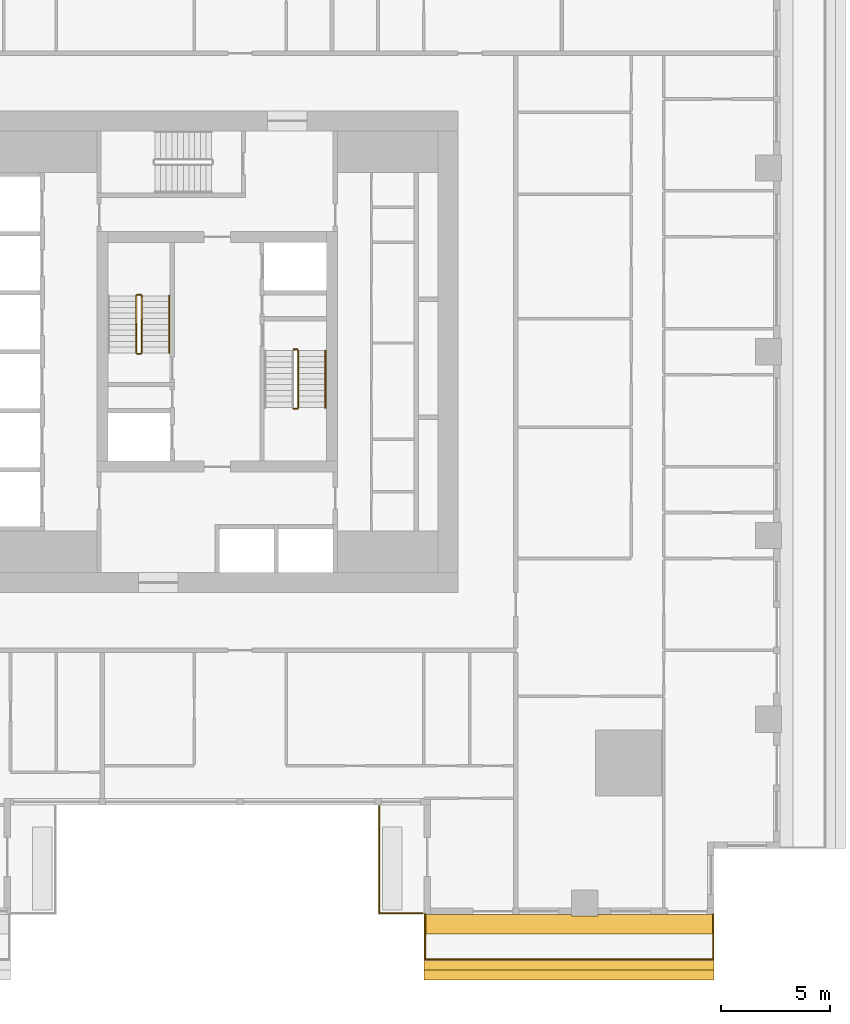
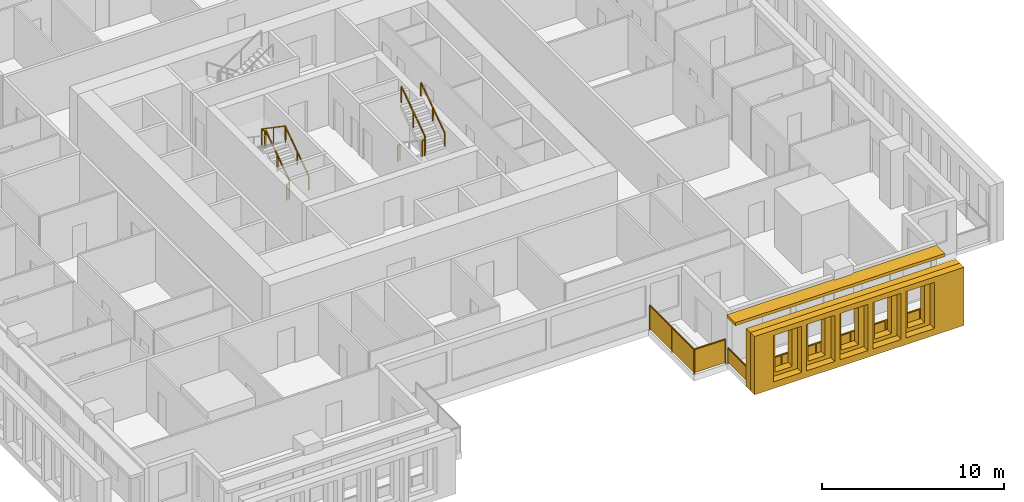
# One storey, part 12 of 15: 11 railings, 3 shading devices.
"""IFC4 building model written with IfcOpenShell, lengths in metres."""

import ifcopenshell
import ifcopenshell.guid

model = None  # the IFC model being written
_history = None  # IfcOwnerHistory: only IFC2X3 demands one
_inside = {}  # id of a spatial element -> (the spatial element, [elements in it])
_under = {}  # id of a project, library or spatial element -> (it, [spatial elements below it])
_declared = {}  # id of a project -> (the project, [libraries it declares])
_typed = {}  # id of a type object -> (the type object, [elements of that type])
_made_of = {}  # id of a material, layer set ... -> (it, [elements and type objects made of it])


def new_model(schema):
    """Start an empty IFC model of exactly this schema.

    Asked for "IFC4X3", IfcOpenShell would pick the latest addendum, in which some entities
    have other attributes; the version numbers below select the first issue.
    IFC2X3 requires an IfcOwnerHistory on every rooted entity: one is made here for all.
    """
    global model, _history
    if schema == "IFC4X3":
        model = ifcopenshell.file(schema_version=(4, 3, 0, 0))
    else:
        model = ifcopenshell.file(schema=schema)
    _inside.clear()
    _under.clear()
    _declared.clear()
    _typed.clear()
    _made_of.clear()
    _history = None
    if model.schema == "IFC2X3":
        org = make("IfcOrganization", Name="unknown")
        user = make(
            "IfcPersonAndOrganization",
            ThePerson=make("IfcPerson", FamilyName="unknown"),
            TheOrganization=org,
        )
        app = make(
            "IfcApplication",
            ApplicationDeveloper=org,
            Version="unknown",
            ApplicationFullName="unknown",
            ApplicationIdentifier="unknown",
        )
        _history = make(
            "IfcOwnerHistory",
            OwningUser=user,
            OwningApplication=app,
            ChangeAction="ADDED",
            CreationDate=0,
        )
    return model


def make(cls, **values):
    """One entity of the class cls with the attributes given. An attribute that is None is left unset."""
    return model.create_entity(
        cls, **{name: value for name, value in values.items() if value is not None}
    )


def rooted(cls, **values):
    """An entity with a GlobalId (a new one), such as an element, a storey or a relation."""
    return make(cls, GlobalId=ifcopenshell.guid.new(), OwnerHistory=_history, **values)


def si_unit(unit_type, name, prefix=None):
    """IfcSIUnit, for example si_unit("LENGTHUNIT", "METRE", prefix="MILLI")."""
    return make("IfcSIUnit", UnitType=unit_type, Prefix=prefix, Name=name)


def assignment(units):
    """IfcUnitAssignment: the units of a project."""
    return None if units is None else make("IfcUnitAssignment", Units=units)


def point(xyz):
    """IfcCartesianPoint."""
    return None if xyz is None else make("IfcCartesianPoint", Coordinates=xyz)


def direction(xyz):
    """IfcDirection."""
    return None if xyz is None else make("IfcDirection", DirectionRatios=xyz)


def frame(location, z_axis=None, x_axis=None):
    """IfcAxis2Placement3D, a coordinate frame: its origin and axes. An axis left out is left unset."""
    return make(
        "IfcAxis2Placement3D",
        Location=point(location),
        Axis=direction(z_axis),
        RefDirection=direction(x_axis),
    )


def frame_2d(location, x_axis=None):
    """IfcAxis2Placement2D, a coordinate frame in the plane: its origin and x axis."""
    return make(
        "IfcAxis2Placement2D", Location=point(location), RefDirection=direction(x_axis)
    )


def origin():
    """The frame at (0, 0, 0) with its axes left unset."""
    return frame((0.0, 0.0, 0.0))


def origin_2d():
    """The frame at (0, 0) in the plane with its x axis left unset."""
    return frame_2d((0.0, 0.0))


def place(relative_to, where):
    """IfcLocalPlacement: puts the frame where relative to a parent placement (None: the world)."""
    return make(
        "IfcLocalPlacement", PlacementRelTo=relative_to, RelativePlacement=where
    )


def context(
    kind, dimensions, precision=None, world=None, true_north=None, identifier=None
):
    """IfcGeometricRepresentationContext, for example the 3D "Model" context."""
    return make(
        "IfcGeometricRepresentationContext",
        ContextIdentifier=identifier,
        ContextType=kind,
        CoordinateSpaceDimension=dimensions,
        Precision=precision,
        WorldCoordinateSystem=world,
        TrueNorth=true_north,
    )


def subcontext(parent, identifier, kind, view, scale=None):
    """IfcGeometricRepresentationSubContext, for example "Body" below "Model"."""
    return make(
        "IfcGeometricRepresentationSubContext",
        ContextIdentifier=identifier,
        ContextType=kind,
        ParentContext=parent,
        TargetScale=scale,
        TargetView=view,
    )


def project(units=None, contexts=None):
    """IfcProject with its units and contexts."""
    return rooted(
        "IfcProject",
        Name="project",
        RepresentationContexts=contexts,
        UnitsInContext=assignment(units),
    )


def spatial(cls, under=None, at=None, **own):
    """A site, building, storey or space (cls), placed at a placement, below another one or the project."""
    s = rooted(cls, ObjectPlacement=at, **own)
    if under is not None:
        _under.setdefault(under.id(), (under, []))[1].append(s)
    return s


def polyline(points):
    """IfcPolyline through the points."""
    return make("IfcPolyline", Points=[point(p) for p in points])


def profile(cls, at=None, kind="AREA", **sizes):
    """A parametric profile (cls). Its sizes go by their IFC names, for example OverallWidth=200.0."""
    return make(cls, ProfileType=kind, Position=at, **sizes)


def rectangle(**sizes):
    """IfcRectangleProfileDef."""
    return profile("IfcRectangleProfileDef", **sizes)


def outline(outer, holes=None, kind="AREA"):
    """IfcArbitraryClosedProfileDef: a profile drawn as a closed curve; with holes, ...WithVoids."""
    if holes is None:
        return make("IfcArbitraryClosedProfileDef", ProfileType=kind, OuterCurve=outer)
    return make(
        "IfcArbitraryProfileDefWithVoids",
        ProfileType=kind,
        OuterCurve=outer,
        InnerCurves=holes,
    )


def extrude(swept, where, along, depth):
    """IfcExtrudedAreaSolid: the profile swept, set in the frame where, extruded along a direction by depth."""
    return make(
        "IfcExtrudedAreaSolid",
        SweptArea=swept,
        Position=where,
        ExtrudedDirection=direction(along),
        Depth=depth,
    )


def shape(context_of_items, identifier, shape_type, items):
    """IfcShapeRepresentation: the items that make up one representation, for example the "Body"."""
    return make(
        "IfcShapeRepresentation",
        ContextOfItems=context_of_items,
        RepresentationIdentifier=identifier,
        RepresentationType=shape_type,
        Items=items,
    )


def material(Name=None, Category=None):
    """IfcMaterial."""
    return make("IfcMaterial", Name=Name, Category=Category)


def layer(
    of_material, thickness, ventilated=None, Name=None, Category=None, Priority=None
):
    """IfcMaterialLayer: one layer of a wall or slab, of a material (None: an air gap)."""
    return make(
        "IfcMaterialLayer",
        Material=of_material,
        LayerThickness=thickness,
        IsVentilated=ventilated,
        Name=Name,
        Category=Category,
        Priority=Priority,
    )


def layer_set(layers, Name=None):
    """IfcMaterialLayerSet."""
    return make("IfcMaterialLayerSet", MaterialLayers=layers, LayerSetName=Name)


def made_of(thing, what):
    """Note that an element or type object is made of a material, layer set ...; save() writes the relation."""
    if what is not None:
        _made_of.setdefault(what.id(), (what, []))[1].append(thing)
    return thing


def type_object(cls, material=None, **own):
    """A type object (cls), such as IfcWallType, which elements share."""
    return made_of(rooted(cls, **own), material)


def element(
    cls,
    number,
    at=None,
    inside=None,
    cuts=None,
    type_object=None,
    material=None,
    context=None,
    identifier="Body",
    shape_type=None,
    held_by="IfcProductDefinitionShape",
    body=None,
    shapes=None,
    **own,
):
    """One element of the class cls, such as IfcWall. Its Tag is "e" and its number.

    at: its placement. inside: the storey or other place that contains it. cuts: it is an
    opening in that element (IfcRelVoidsElement). A single representation is given by context,
    identifier, shape_type and body (its items); several are given by shapes. held_by: the class
    of the entity that holds the representations. save() writes the other relations.
    """
    e = rooted(cls, Tag="e%d" % number, ObjectPlacement=at, **own)
    if body is not None:
        shapes = [shape(context, identifier, shape_type, body)]
    if shapes is not None:
        e.Representation = make(held_by, Representations=shapes)
    if inside is not None:
        _inside.setdefault(inside.id(), (inside, []))[1].append(e)
    if cuts is not None:
        rooted(
            "IfcRelVoidsElement", RelatingBuildingElement=cuts, RelatedOpeningElement=e
        )
    if type_object is not None:
        _typed.setdefault(type_object.id(), (type_object, []))[1].append(e)
    return made_of(e, material)


def aggregate(whole, parts):
    """IfcRelAggregates: a whole, such as a stair, and the parts it consists of."""
    return rooted("IfcRelAggregates", RelatingObject=whole, RelatedObjects=parts)


def save(model, path):
    """Write the relations noted so far, then the file.

    IfcRelAggregates (storeys below a building ...), IfcRelContainedInSpatialStructure (elements
    in a storey), IfcRelDefinesByType, IfcRelAssociatesMaterial and IfcRelDeclares: one each for
    every whole, place, type object, material and project.
    """
    for whole, parts in _under.values():
        aggregate(whole, parts)
    for where, things in _inside.values():
        rooted(
            "IfcRelContainedInSpatialStructure",
            RelatedElements=things,
            RelatingStructure=where,
        )
    for kind, things in _typed.values():
        rooted("IfcRelDefinesByType", RelatedObjects=things, RelatingType=kind)
    for what, things in _made_of.values():
        rooted("IfcRelAssociatesMaterial", RelatedObjects=things, RelatingMaterial=what)
    for by, libraries in _declared.values():
        rooted("IfcRelDeclares", RelatingContext=by, RelatedDefinitions=libraries)
    model.write(path)


model = new_model("IFC4")

# Units and contexts
model_context = context("Model", 3, precision=1e-05, world=origin(), true_north=direction((0.0, 1.0)))
body_context = subcontext(model_context, "Body", "Model", "MODEL_VIEW")
ifc_project = project(units=[si_unit("LENGTHUNIT", "METRE"), si_unit("AREAUNIT", "SQUARE_METRE"), si_unit("VOLUMEUNIT", "CUBIC_METRE"), si_unit("PLANEANGLEUNIT", "RADIAN"), si_unit("MASSUNIT", "GRAM", prefix="KILO")], contexts=[model_context])

# Site, building, storey
site_placement = place(None, origin())
site = spatial("IfcSite", under=ifc_project, at=site_placement, CompositionType="ELEMENT")
building_placement = place(site_placement, origin())
building = spatial("IfcBuilding", under=site, at=building_placement, Name="Khepri Terraces", CompositionType="ELEMENT")
storey_placement = place(building_placement, frame((0.0, 0.0, 50.39990234375)))
storey = spatial("IfcBuildingStorey", under=building, at=storey_placement, Name="L11", CompositionType="ELEMENT", Elevation=50.39990234375)

# Railings
ifc_material_1 = material(Name="Stainless steel grade 316", Category="steel")
railing_type_1 = type_object("IfcRailingType", Name="GRD-BAL-1100", PredefinedType="GUARDRAIL", material=ifc_material_1)
railing_1_placement = place(storey_placement, frame((9.5, -25.719970703125, 0.0)))
element("IfcRailing", 1, at=railing_1_placement, inside=storey, type_object=railing_type_1, Name="Balcony guard L11 S", PredefinedType="GUARDRAIL", context=body_context, shape_type="SweptSolid", body=[
    extrude(rectangle(XDim=0.050048828125, YDim=0.06005859375, at=origin_2d()), frame((0.0, 0.0, 1.070068359375), z_axis=(0.0, -1.0, 0.0), x_axis=(1.0, 0.0, 0.0)), (0.0, 0.0, 1.0), 2.050048828125),
    extrude(rectangle(XDim=2.0, YDim=0.011962890625, at=origin_2d()), frame((0.0, -1.02490234375, 0.10009765625), z_axis=(0.0, 0.0, 1.0), x_axis=(0.0, -1.0, 0.0)), (0.0, 0.0, 1.0), 0.93994140625),
    extrude(rectangle(XDim=0.050048828125, YDim=0.06005859375, at=origin_2d()), frame((0.0, -2.050048828125, 1.070068359375), z_axis=(1.0, 0.0, 0.0), x_axis=(0.0, 1.0, 0.0)), (0.0, 0.0, 1.0), 13.169921875),
    extrude(rectangle(XDim=2.14501953125, YDim=0.011962890625, at=origin_2d()), frame((1.097412109375, -2.050048828125, 0.10009765625), z_axis=(0.0, 0.0, 1.0), x_axis=(1.0, 0.0, 0.0)), (0.0, 0.0, 1.0), 0.93994140625),
    extrude(rectangle(XDim=2.14501953125, YDim=0.011962890625, at=origin_2d()), frame((3.29248046875, -2.050048828125, 0.10009765625), z_axis=(0.0, 0.0, 1.0), x_axis=(1.0, 0.0, 0.0)), (0.0, 0.0, 1.0), 0.93994140625),
    extrude(rectangle(XDim=2.14501953125, YDim=0.011962890625, at=origin_2d()), frame((5.487548828125, -2.050048828125, 0.10009765625), z_axis=(0.0, 0.0, 1.0), x_axis=(1.0, 0.0, 0.0)), (0.0, 0.0, 1.0), 0.93994140625),
    extrude(rectangle(XDim=2.14501953125, YDim=0.011962890625, at=origin_2d()), frame((7.682373046875, -2.050048828125, 0.10009765625), z_axis=(0.0, 0.0, 1.0), x_axis=(1.0, 0.0, 0.0)), (0.0, 0.0, 1.0), 0.93994140625),
    extrude(rectangle(XDim=2.14501953125, YDim=0.011962890625, at=origin_2d()), frame((9.87744140625, -2.050048828125, 0.10009765625), z_axis=(0.0, 0.0, 1.0), x_axis=(1.0, 0.0, 0.0)), (0.0, 0.0, 1.0), 0.93994140625),
    extrude(rectangle(XDim=2.14501953125, YDim=0.011962890625, at=origin_2d()), frame((12.072509765625, -2.050048828125, 0.10009765625), z_axis=(0.0, 0.0, 1.0), x_axis=(1.0, 0.0, 0.0)), (0.0, 0.0, 1.0), 0.93994140625),
    extrude(rectangle(XDim=0.050048828125, YDim=0.06005859375, at=origin_2d()), frame((13.169921875, -2.050048828125, 1.070068359375), z_axis=(0.0, 1.0, 0.0), x_axis=(-1.0, 0.0, 0.0)), (0.0, 0.0, 1.0), 2.050048828125),
    extrude(rectangle(XDim=2.0, YDim=0.011962890625, at=origin_2d()), frame((13.169921875, -1.02490234375, 0.10009765625), z_axis=(0.0, 0.0, 1.0), x_axis=(0.0, 1.0, 0.0)), (0.0, 0.0, 1.0), 0.93994140625),
    extrude(rectangle(XDim=0.050048828125, YDim=0.050048828125, at=origin_2d()), origin(), (0.0, 0.0, 1.0), 1.0400390625),
    extrude(rectangle(XDim=0.050048828125, YDim=0.050048828125, at=origin_2d()), frame((0.0, -2.050048828125, 0.0)), (0.0, 0.0, 1.0), 1.0400390625),
    extrude(rectangle(XDim=0.050048828125, YDim=0.050048828125, at=origin_2d()), frame((2.195068359375, -2.050048828125, 0.0)), (0.0, 0.0, 1.0), 1.0400390625),
    extrude(rectangle(XDim=0.050048828125, YDim=0.050048828125, at=origin_2d()), frame((4.389892578125, -2.050048828125, 0.0)), (0.0, 0.0, 1.0), 1.0400390625),
    extrude(rectangle(XDim=0.050048828125, YDim=0.050048828125, at=origin_2d()), frame((6.5849609375, -2.050048828125, 0.0)), (0.0, 0.0, 1.0), 1.0400390625),
    extrude(rectangle(XDim=0.050048828125, YDim=0.050048828125, at=origin_2d()), frame((8.780029296875, -2.050048828125, 0.0)), (0.0, 0.0, 1.0), 1.0400390625),
    extrude(rectangle(XDim=0.050048828125, YDim=0.050048828125, at=origin_2d()), frame((10.974853515625, -2.050048828125, 0.0)), (0.0, 0.0, 1.0), 1.0400390625),
    extrude(rectangle(XDim=0.050048828125, YDim=0.050048828125, at=origin_2d()), frame((13.169921875, -2.050048828125, 0.0)), (0.0, 0.0, 1.0), 1.0400390625),
    extrude(rectangle(XDim=0.050048828125, YDim=0.050048828125, at=origin_2d()), frame((13.169921875, 0.0, 0.0)), (0.0, 0.0, 1.0), 1.0400390625),
])
railing_type_2 = type_object("IfcRailingType", Name="GRD-TERR-1700", PredefinedType="GUARDRAIL", material=ifc_material_1)
railing_2_placement = place(storey_placement, frame((9.3798828125, -25.669921875, 0.0)))
element("IfcRailing", 2, at=railing_2_placement, inside=storey, type_object=railing_type_2, Name="Terrace guard L11", PredefinedType="GUARDRAIL", context=body_context, shape_type="SweptSolid", body=[
    extrude(rectangle(XDim=0.050048828125, YDim=0.06005859375, at=origin_2d()), frame((0.0, 0.0, 1.669921875), z_axis=(-1.0, 0.0, 0.0), x_axis=(0.0, -1.0, 0.0)), (0.0, 0.0, 1.0), 1.97998046875),
    extrude(rectangle(XDim=1.929931640625, YDim=0.011962890625, at=origin_2d()), frame((-0.989990234375, 0.0, 0.10009765625), z_axis=(0.0, 0.0, 1.0), x_axis=(-1.0, 0.0, 0.0)), (0.0, 0.0, 1.0), 1.539794921875),
    extrude(rectangle(XDim=0.050048828125, YDim=0.06005859375, at=origin_2d()), frame((-1.97998046875, 0.0, 1.669921875), z_axis=(0.0, 1.0, 0.0), x_axis=(-1.0, 0.0, 0.0)), (0.0, 0.0, 1.0), 4.8798828125),
    extrude(rectangle(XDim=2.389892578125, YDim=0.011962890625, at=origin_2d()), frame((-1.97998046875, 1.219970703125, 0.10009765625), z_axis=(0.0, 0.0, 1.0), x_axis=(0.0, 1.0, 0.0)), (0.0, 0.0, 1.0), 1.539794921875),
    extrude(rectangle(XDim=2.389892578125, YDim=0.011962890625, at=origin_2d()), frame((-1.97998046875, 3.659912109375, 0.10009765625), z_axis=(0.0, 0.0, 1.0), x_axis=(0.0, 1.0, 0.0)), (0.0, 0.0, 1.0), 1.539794921875),
    extrude(rectangle(XDim=0.050048828125, YDim=0.050048828125, at=origin_2d()), origin(), (0.0, 0.0, 1.0), 1.639892578125),
    extrude(rectangle(XDim=0.050048828125, YDim=0.050048828125, at=origin_2d()), frame((-1.97998046875, 0.0, 0.0)), (0.0, 0.0, 1.0), 1.639892578125),
    extrude(rectangle(XDim=0.050048828125, YDim=0.050048828125, at=origin_2d()), frame((-1.97998046875, 2.43994140625, 0.0)), (0.0, 0.0, 1.0), 1.639892578125),
    extrude(rectangle(XDim=0.050048828125, YDim=0.050048828125, at=origin_2d()), frame((-1.97998046875, 4.8798828125, 0.0)), (0.0, 0.0, 1.0), 1.639892578125),
])
ifc_material_2 = material(Name="Stainless steel 316", Category="steel")
railing_type_3 = type_object("IfcRailingType", Name="RL-CORE-GUARD", PredefinedType="GUARDRAIL", material=ifc_material_2)
railing_3_placement = place(storey_placement, frame((-3.449951171875, -0.050048828125, 0.177490234375)))
element("IfcRailing", 3, at=railing_3_placement, inside=storey, type_object=railing_type_3, Name="L11 ST-1 stair guard 1", PredefinedType="GUARDRAIL", context=body_context, shape_type="SweptSolid", body=[
    extrude(rectangle(XDim=0.050048828125, YDim=0.06005859375, at=origin_2d()), frame((0.0, 0.0, 1.070068359375), z_axis=(0.0, 0.826240473404, 0.563317565952), x_axis=(-1.0, 0.0, 0.0)), (0.0, 0.0, 1.0), 3.14697265625),
    extrude(rectangle(XDim=0.050048828125, YDim=0.050048828125, at=origin_2d()), origin(), (0.0, 0.0, 1.0), 1.0400390625),
    extrude(rectangle(XDim=0.050048828125, YDim=0.050048828125, at=origin_2d()), frame((0.0, 1.300048828125, 0.88623046875)), (0.0, 0.0, 1.0), 1.0400390625),
    extrude(rectangle(XDim=0.050048828125, YDim=0.050048828125, at=origin_2d()), frame((0.0, 2.60009765625, 1.772705078125)), (0.0, 0.0, 1.0), 1.0400390625),
])
railing_4_placement = place(storey_placement, frame((-3.5, 2.60009765625, 1.9501953125)))
element("IfcRailing", 4, at=railing_4_placement, inside=storey, type_object=railing_type_3, Name="L11 ST-1 stair guard 2", PredefinedType="GUARDRAIL", context=body_context, shape_type="SweptSolid", body=[
    extrude(rectangle(XDim=0.050048828125, YDim=0.06005859375, at=origin_2d()), frame((0.0, 0.0, 1.070068359375), z_axis=(-1.0, 0.0, 0.0), x_axis=(0.0, -1.0, 0.0)), (0.0, 0.0, 1.0), 0.14990234375),
    extrude(rectangle(XDim=0.050048828125, YDim=0.050048828125, at=origin_2d()), origin(), (0.0, 0.0, 1.0), 1.0400390625),
    extrude(rectangle(XDim=0.050048828125, YDim=0.050048828125, at=origin_2d()), frame((-0.14990234375, 0.0, 0.0)), (0.0, 0.0, 1.0), 1.0400390625),
])
railing_5_placement = place(storey_placement, frame((-3.699951171875, 2.550048828125, 2.12744140625)))
element("IfcRailing", 5, at=railing_5_placement, inside=storey, type_object=railing_type_3, Name="L11 ST-1 stair guard 3", PredefinedType="GUARDRAIL", context=body_context, shape_type="SweptSolid", body=[
    extrude(rectangle(XDim=0.050048828125, YDim=0.06005859375, at=origin_2d()), frame((0.0, 0.0, 1.070068359375), z_axis=(0.0, -0.826240473404, 0.563317565952), x_axis=(1.0, 0.0, 0.0)), (0.0, 0.0, 1.0), 3.14697265625),
    extrude(rectangle(XDim=0.050048828125, YDim=0.050048828125, at=origin_2d()), origin(), (0.0, 0.0, 1.0), 1.0400390625),
    extrude(rectangle(XDim=0.050048828125, YDim=0.050048828125, at=origin_2d()), frame((0.0, -1.300048828125, 0.88623046875)), (0.0, 0.0, 1.0), 1.0400390625),
    extrude(rectangle(XDim=0.050048828125, YDim=0.050048828125, at=origin_2d()), frame((0.0, -2.60009765625, 1.772705078125)), (0.0, 0.0, 1.0), 1.0400390625),
])
railing_6_placement = place(storey_placement, frame((-3.5, -0.10009765625, 0.0)))
element("IfcRailing", 6, at=railing_6_placement, inside=storey, type_object=railing_type_3, Name="L11 ST-1 stair guard 4", PredefinedType="GUARDRAIL", context=body_context, shape_type="SweptSolid", body=[
    extrude(rectangle(XDim=0.050048828125, YDim=0.06005859375, at=origin_2d()), frame((0.0, 0.0, 1.070068359375), z_axis=(-1.0, 0.0, 0.0), x_axis=(0.0, -1.0, 0.0)), (0.0, 0.0, 1.0), 0.14990234375),
    extrude(rectangle(XDim=0.050048828125, YDim=0.050048828125, at=origin_2d()), origin(), (0.0, 0.0, 1.0), 1.0400390625),
    extrude(rectangle(XDim=0.050048828125, YDim=0.050048828125, at=origin_2d()), frame((-0.14990234375, 0.0, 0.0)), (0.0, 0.0, 1.0), 1.0400390625),
])
railing_7_placement = place(storey_placement, frame((3.5, -2.60009765625, 1.9501953125)))
element("IfcRailing", 7, at=railing_7_placement, inside=storey, type_object=railing_type_3, Name="L11 ST-2 stair guard 2", PredefinedType="GUARDRAIL", context=body_context, shape_type="SweptSolid", body=[
    extrude(rectangle(XDim=0.050048828125, YDim=0.06005859375, at=origin_2d()), frame((0.0, 0.0, 1.070068359375), z_axis=(1.0, 0.0, 0.0), x_axis=(0.0, 1.0, 0.0)), (0.0, 0.0, 1.0), 0.14990234375),
    extrude(rectangle(XDim=0.050048828125, YDim=0.050048828125, at=origin_2d()), origin(), (0.0, 0.0, 1.0), 1.0400390625),
    extrude(rectangle(XDim=0.050048828125, YDim=0.050048828125, at=origin_2d()), frame((0.14990234375, 0.0, 0.0)), (0.0, 0.0, 1.0), 1.0400390625),
])
railing_8_placement = place(storey_placement, frame((3.699951171875, -2.550048828125, 2.12744140625)))
element("IfcRailing", 8, at=railing_8_placement, inside=storey, type_object=railing_type_3, Name="L11 ST-2 stair guard 3", PredefinedType="GUARDRAIL", context=body_context, shape_type="SweptSolid", body=[
    extrude(rectangle(XDim=0.050048828125, YDim=0.06005859375, at=origin_2d()), frame((0.0, 0.0, 1.070068359375), z_axis=(0.0, 0.826240473404, 0.563317565952), x_axis=(-1.0, 0.0, 0.0)), (0.0, 0.0, 1.0), 3.14697265625),
    extrude(rectangle(XDim=0.050048828125, YDim=0.050048828125, at=origin_2d()), origin(), (0.0, 0.0, 1.0), 1.0400390625),
    extrude(rectangle(XDim=0.050048828125, YDim=0.050048828125, at=origin_2d()), frame((0.0, 1.300048828125, 0.88623046875)), (0.0, 0.0, 1.0), 1.0400390625),
    extrude(rectangle(XDim=0.050048828125, YDim=0.050048828125, at=origin_2d()), frame((0.0, 2.60009765625, 1.772705078125)), (0.0, 0.0, 1.0), 1.0400390625),
])
railing_9_placement = place(storey_placement, frame((3.5, 0.10009765625, 0.0)))
element("IfcRailing", 9, at=railing_9_placement, inside=storey, type_object=railing_type_3, Name="L11 ST-2 stair guard 4", PredefinedType="GUARDRAIL", context=body_context, shape_type="SweptSolid", body=[
    extrude(rectangle(XDim=0.050048828125, YDim=0.06005859375, at=origin_2d()), frame((0.0, 0.0, 1.070068359375), z_axis=(1.0, 0.0, 0.0), x_axis=(0.0, 1.0, 0.0)), (0.0, 0.0, 1.0), 0.14990234375),
    extrude(rectangle(XDim=0.050048828125, YDim=0.050048828125, at=origin_2d()), origin(), (0.0, 0.0, 1.0), 1.0400390625),
    extrude(rectangle(XDim=0.050048828125, YDim=0.050048828125, at=origin_2d()), frame((0.14990234375, 0.0, 0.0)), (0.0, 0.0, 1.0), 1.0400390625),
])
railing_type_4 = type_object("IfcRailingType", Name="RL-CORE-HANDRAIL", PredefinedType="HANDRAIL", material=ifc_material_2)
for number, where, name in (
    (10, (-2.199951171875, -0.050048828125, 0.177490234375), "L11 ST-1 stair handrail 1"),
    (11, (4.949951171875, -2.550048828125, 2.12744140625), "L11 ST-2 stair handrail 2"),
):
    element("IfcRailing", number, at=place(storey_placement, frame(where)), inside=storey, type_object=railing_type_4, Name=name, PredefinedType="HANDRAIL", context=body_context, shape_type="SweptSolid", body=[
        extrude(rectangle(XDim=0.050048828125, YDim=0.050048828125, at=origin_2d()), frame((0.0, 0.0, 0.875), z_axis=(0.0, 0.826240473404, 0.563317565952), x_axis=(-1.0, 0.0, 0.0)), (0.0, 0.0, 1.0), 3.14697265625),
        extrude(rectangle(XDim=0.050048828125, YDim=0.050048828125, at=origin_2d()), origin(), (0.0, 0.0, 1.0), 0.849853515625),
        extrude(rectangle(XDim=0.050048828125, YDim=0.050048828125, at=origin_2d()), frame((0.0, 1.300048828125, 0.88623046875)), (0.0, 0.0, 1.0), 0.849853515625),
        extrude(rectangle(XDim=0.050048828125, YDim=0.050048828125, at=origin_2d()), frame((0.0, 2.60009765625, 1.772705078125)), (0.0, 0.0, 1.0), 0.849853515625),
    ])

# Shading devices
ifc_material_3 = material(Name="Precast concrete C50/60 warm stone", Category="masonry")
shading_device_type_1 = type_object("IfcShadingDeviceType", Name="SCR-CELL-INNER-450", PredefinedType="USERDEFINED", material=ifc_material_3)
shading_device_1_placement = place(storey_placement, frame((9.449951171875, -27.820068359375, -0.25), z_axis=(0.0, -1.0, 0.0), x_axis=(1.0, 0.0, 0.0)))
element("IfcShadingDevice", 12, at=shading_device_1_placement, inside=storey, type_object=shading_device_type_1, Name="Cell screen L11 S in", ObjectType="SCREEN", PredefinedType="USERDEFINED", context=body_context, shape_type="SweptSolid", body=[
    extrude(outline(polyline([(0.0, 0.0), (13.27001953125, 0.0), (13.27001953125, 3.89990234375), (0.0, 3.89990234375), (0.0, 0.0)]), holes=[polyline([(1.556640625, 0.699951171875), (2.643310546875, 0.699951171875), (2.643310546875, 3.300048828125), (1.556640625, 3.300048828125), (1.556640625, 0.699951171875)]), polyline([(3.656494140625, 0.699951171875), (4.743408203125, 0.699951171875), (4.743408203125, 3.300048828125), (3.656494140625, 3.300048828125), (3.656494140625, 0.699951171875)]), polyline([(5.756591796875, 0.699951171875), (6.843505859375, 0.699951171875), (6.843505859375, 3.300048828125), (5.756591796875, 3.300048828125), (5.756591796875, 0.699951171875)]), polyline([(7.856689453125, 0.699951171875), (8.943359375, 0.699951171875), (8.943359375, 3.300048828125), (7.856689453125, 3.300048828125), (7.856689453125, 0.699951171875)]), polyline([(9.95654296875, 0.699951171875), (11.04345703125, 0.699951171875), (11.04345703125, 3.300048828125), (9.95654296875, 3.300048828125), (9.95654296875, 0.699951171875)]), polyline([(12.056640625, 0.699951171875), (13.143310546875, 0.699951171875), (13.143310546875, 3.300048828125), (12.056640625, 3.300048828125), (12.056640625, 0.699951171875)])]), origin(), (0.0, 0.0, 1.0), 0.449951171875),
])
shading_device_type_2 = type_object("IfcShadingDeviceType", Name="SCR-CELL-OUTER-450", PredefinedType="USERDEFINED", material=ifc_material_3)
shading_device_2_placement = place(storey_placement, frame((9.449951171875, -28.27001953125, -0.25), z_axis=(0.0, -1.0, 0.0), x_axis=(1.0, 0.0, 0.0)))
element("IfcShadingDevice", 13, at=shading_device_2_placement, inside=storey, type_object=shading_device_type_2, Name="Cell screen L11 S out", ObjectType="SCREEN", PredefinedType="USERDEFINED", context=body_context, shape_type="SweptSolid", body=[
    extrude(outline(polyline([(0.0, 0.0), (13.27001953125, 0.0), (13.27001953125, 3.89990234375), (0.0, 3.89990234375), (0.0, 0.0)]), holes=[polyline([(1.20654296875, 0.449951171875), (2.993408203125, 0.449951171875), (2.993408203125, 3.550048828125), (1.20654296875, 3.550048828125), (1.20654296875, 0.449951171875)]), polyline([(3.306640625, 0.449951171875), (5.093505859375, 0.449951171875), (5.093505859375, 3.550048828125), (3.306640625, 3.550048828125), (3.306640625, 0.449951171875)]), polyline([(5.406494140625, 0.449951171875), (7.193359375, 0.449951171875), (7.193359375, 3.550048828125), (5.406494140625, 3.550048828125), (5.406494140625, 0.449951171875)]), polyline([(7.506591796875, 0.449951171875), (9.29345703125, 0.449951171875), (9.29345703125, 3.550048828125), (7.506591796875, 3.550048828125), (7.506591796875, 0.449951171875)]), polyline([(9.606689453125, 0.449951171875), (11.393310546875, 0.449951171875), (11.393310546875, 3.550048828125), (9.606689453125, 3.550048828125), (9.606689453125, 0.449951171875)])]), origin(), (0.0, 0.0, 1.0), 0.449951171875),
])
ifc_layer = layer(ifc_material_3, 0.199951171875, Name="Precast concrete C50/60 warm stone", Category="masonry")
ifc_layer_set = layer_set([ifc_layer], Name="Precast concrete C50/60 warm stone")
shading_device_type_3 = type_object("IfcShadingDeviceType", Name="SSH-BAND-STONE-200", PredefinedType="USERDEFINED", material=ifc_layer_set)
shading_device_3_placement = place(storey_placement, frame((0.0, 0.0, 3.10009765625)))
element("IfcShadingDevice", 14, at=shading_device_3_placement, inside=storey, type_object=shading_device_type_3, Name="Sunshade band L11 S", ObjectType="SUNSHADE", PredefinedType="USERDEFINED", context=body_context, shape_type="SweptSolid", body=[
    extrude(outline(polyline([(16.199951171875, -25.719970703125), (9.449951171875, -25.719970703125), (9.449951171875, -26.6201171875), (22.719970703125, -26.6201171875), (22.719970703125, -25.719970703125), (17.39990234375, -25.719970703125), (17.39990234375, -25.800048828125), (16.199951171875, -25.800048828125), (16.199951171875, -25.719970703125)])), origin(), (0.0, 0.0, 1.0), 0.199951171875),
])

save(model, "model.ifc")
